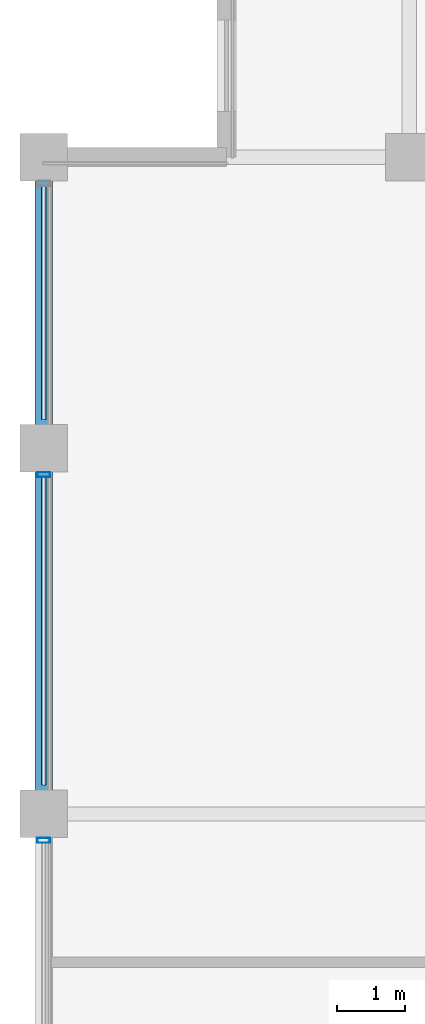
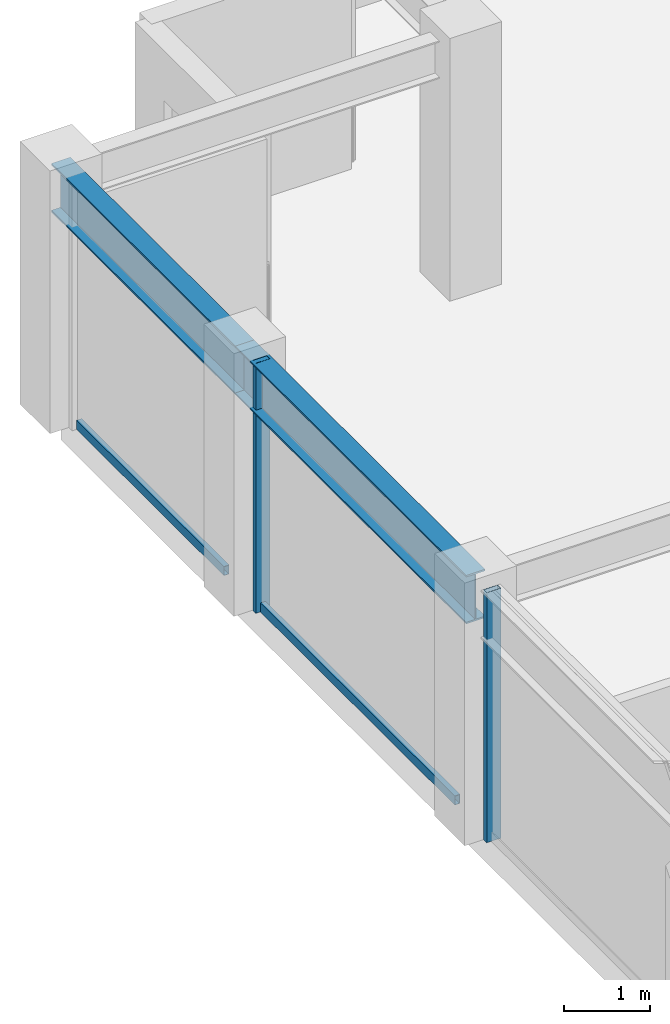
# One storey, part 14 of 34: 4 members, 2 beams, 1 element without a shape of its own.
"""IFC4 building model written with IfcOpenShell, lengths in metres."""

from ifc_helpers import new_model, si_unit, direction, frame, origin, origin_2d, place, context, subcontext, project, spatial, hollow_rectangle, i_section, extrude, material, layer, layer_set, material_profile, profile_set, type_object, element, aggregate, save


model = new_model("IFC4")

# Units and contexts
model_context = context("Model", 3, precision=1e-05, world=origin(), true_north=direction((0.0, 1.0)))
body_context = subcontext(model_context, "Body", "Model", "MODEL_VIEW")
ifc_project = project(units=[si_unit("LENGTHUNIT", "METRE"), si_unit("AREAUNIT", "SQUARE_METRE"), si_unit("VOLUMEUNIT", "CUBIC_METRE"), si_unit("PLANEANGLEUNIT", "RADIAN"), si_unit("MASSUNIT", "GRAM", prefix="KILO")], contexts=[model_context])

# Site, building, storey
site_placement = place(None, origin())
site = spatial("IfcSite", under=ifc_project, at=site_placement, CompositionType="ELEMENT")
building_placement = place(site_placement, origin())
building = spatial("IfcBuilding", under=site, at=building_placement, Name="Surkhivell Harbour Commons", CompositionType="ELEMENT")
storey_placement = place(building_placement, frame((0.0, 0.0, 258.75)))
storey = spatial("IfcBuildingStorey", under=building, at=storey_placement, Name="L67", CompositionType="ELEMENT", Elevation=258.75)

# Beams
ifc_material_1 = material(Name="Steel S355", Category="steel")
ifc_material_profile_1 = material_profile(ifc_material_1, i_section(OverallWidth=0.256103515625, OverallDepth=0.693115234375, WebThickness=0.014404296875, FlangeThickness=0.023681640625, at=origin_2d()), Name="UB686x254x170")
ifc_profile_set_1 = profile_set([ifc_material_profile_1], Name="Steel S355")
beam_type = type_object("IfcBeamType", Name="BM-SPN-686", PredefinedType="SPANDREL", material=ifc_profile_set_1)
beam_1_placement = place(storey_placement, frame((-27.0, 10.800048828125, 3.223388671875), z_axis=(0.0, 1.0, 0.0), x_axis=(-1.0, 0.0, 0.0)))
element("IfcBeam", 1, at=beam_1_placement, inside=storey, type_object=beam_type, Name="L67 Tube Spandrel (-27.0,10.8)", PredefinedType="SPANDREL", context=body_context, shape_type="SweptSolid", body=[
    extrude(i_section(OverallWidth=0.256103515625, OverallDepth=0.693115234375, WebThickness=0.014404296875, FlangeThickness=0.023681640625, at=origin_2d()), origin(), (0.0, 0.0, 1.0), 5.39990234375),
])
beam_2_placement = place(storey_placement, frame((-27.0, 16.199951171875, 3.223388671875), z_axis=(0.0, 1.0, 0.0), x_axis=(-1.0, 0.0, 0.0)))
element("IfcBeam", 2, at=beam_2_placement, inside=storey, type_object=beam_type, Name="L67 Tube Spandrel (-27.0,16.2)", PredefinedType="SPANDREL", context=body_context, shape_type="SweptSolid", body=[
    extrude(i_section(OverallWidth=0.256103515625, OverallDepth=0.693115234375, WebThickness=0.014404296875, FlangeThickness=0.023681640625, at=origin_2d()), origin(), (0.0, 0.0, 1.0), 4.300048828125),
])

# Curtain wall, members
ifc_material_2 = material(Name="Anodised pale-metal aluminium and insulated glazing", Category="aluminium")
ifc_layer = layer(ifc_material_2, 0.175048828125)
ifc_layer_set = layer_set([ifc_layer], Name="Anodised pale-metal aluminium and insulated glazing")
curtain_wall_type = type_object("IfcCurtainWallType", Name="CW-SYS-Z4", PredefinedType="NOTDEFINED", material=ifc_layer_set)
curtain_wall_placement = place(storey_placement, origin())
curtain_wall = element("IfcCurtainWall", 3, at=curtain_wall_placement, inside=storey, type_object=curtain_wall_type, Name="L67 Curtain Wall CW-L67-E12S1", PredefinedType="NOTDEFINED")
ifc_material_3 = material(Name="Anodised pale-metal aluminium alloy 6063-T6", Category="aluminium")
ifc_material_profile_2 = material_profile(ifc_material_3, hollow_rectangle(XDim=0.074951171875, YDim=0.18994140625, WallThickness=0.00390625, at=origin_2d()), Name="ALU-MULL-75x190")
ifc_profile_set_2 = profile_set([ifc_material_profile_2], Name="Anodised pale-metal aluminium alloy 6063-T6")
member_type_1 = type_object("IfcMemberType", Name="CWM-190", PredefinedType="MULLION", material=ifc_profile_set_2)
member_1_placement = place(storey_placement, frame((-27.0, 15.810546875, 0.0), z_axis=(0.0, 0.0, 1.0), x_axis=(0.0, -1.0, 0.0)))
member_1 = element("IfcMember", 4, at=member_1_placement, type_object=member_type_1, Name="CW-Z4 mullion 2", PredefinedType="MULLION", context=body_context, shape_type="SweptSolid", body=[
    extrude(hollow_rectangle(XDim=0.074951171875, YDim=0.18994140625, WallThickness=0.00390625, at=origin_2d()), origin(), (0.0, 0.0, 1.0), 3.570068359375),
])
member_2_placement = place(storey_placement, frame((-27.0, 10.410400390625, 0.0), z_axis=(0.0, 0.0, 1.0), x_axis=(0.0, -1.0, 0.0)))
member_2 = element("IfcMember", 5, at=member_2_placement, type_object=member_type_1, Name="CW-Z4 mullion 3", PredefinedType="MULLION", context=body_context, shape_type="SweptSolid", body=[
    extrude(hollow_rectangle(XDim=0.074951171875, YDim=0.18994140625, WallThickness=0.00390625, at=origin_2d()), origin(), (0.0, 0.0, 1.0), 3.570068359375),
])
ifc_material_4 = material(Name="Champagne anodised aluminium alloy 6063-T6", Category="aluminium")
ifc_material_profile_3 = material_profile(ifc_material_4, hollow_rectangle(XDim=0.070068359375, YDim=0.1298828125, WallThickness=0.00341796875, at=origin_2d()), Name="ALU-TRAN-70x130")
ifc_profile_set_3 = profile_set([ifc_material_profile_3], Name="Champagne anodised aluminium alloy 6063-T6")
member_type_2 = type_object("IfcMemberType", Name="CWT-130", PredefinedType="USERDEFINED", material=ifc_profile_set_3)
member_3_placement = place(storey_placement, frame((-27.0, 20.072998046875, 0.06494140625), z_axis=(0.0, -1.0, 0.0), x_axis=(1.0, 0.0, 0.0)))
member_3 = element("IfcMember", 6, at=member_3_placement, type_object=member_type_2, Name="CW-Z4 transom 1.1", ObjectType="TRANSOM", PredefinedType="USERDEFINED", context=body_context, shape_type="SweptSolid", body=[
    extrude(hollow_rectangle(XDim=0.070068359375, YDim=0.1298828125, WallThickness=0.00341796875, at=origin_2d()), origin(), (0.0, 0.0, 1.0), 3.446044921875),
])
member_4_placement = place(storey_placement, frame((-27.0, 15.77294921875, 0.06494140625), z_axis=(0.0, -1.0, 0.0), x_axis=(1.0, 0.0, 0.0)))
member_4 = element("IfcMember", 7, at=member_4_placement, type_object=member_type_2, Name="CW-Z4 transom 2.1", ObjectType="TRANSOM", PredefinedType="USERDEFINED", context=body_context, shape_type="SweptSolid", body=[
    extrude(hollow_rectangle(XDim=0.070068359375, YDim=0.1298828125, WallThickness=0.00341796875, at=origin_2d()), origin(), (0.0, 0.0, 1.0), 4.5458984375),
])
aggregate(curtain_wall, [member_3, member_1, member_4, member_2])

save(model, "model.ifc")
